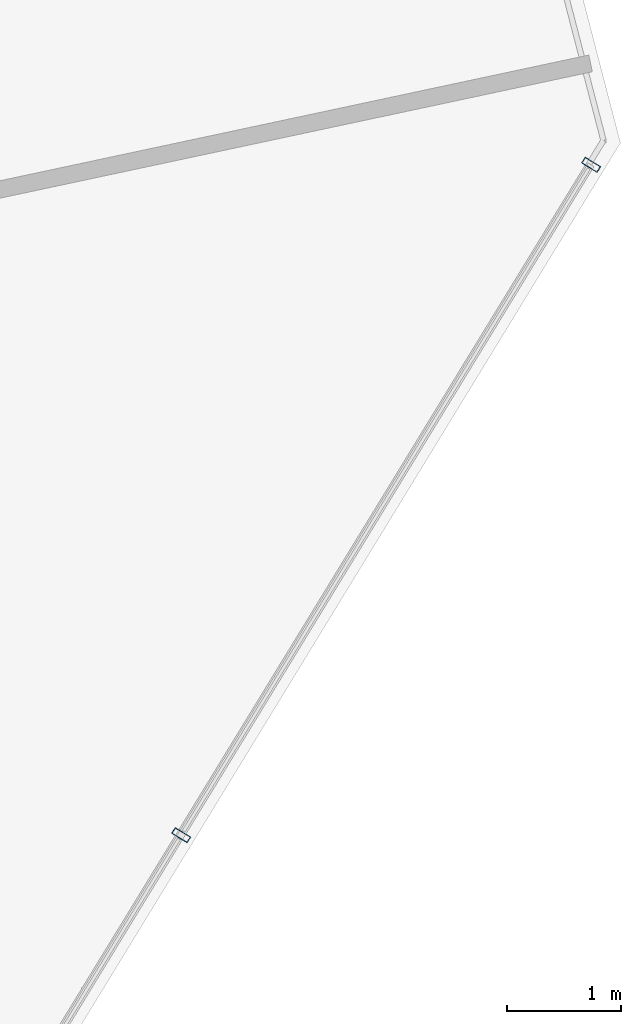
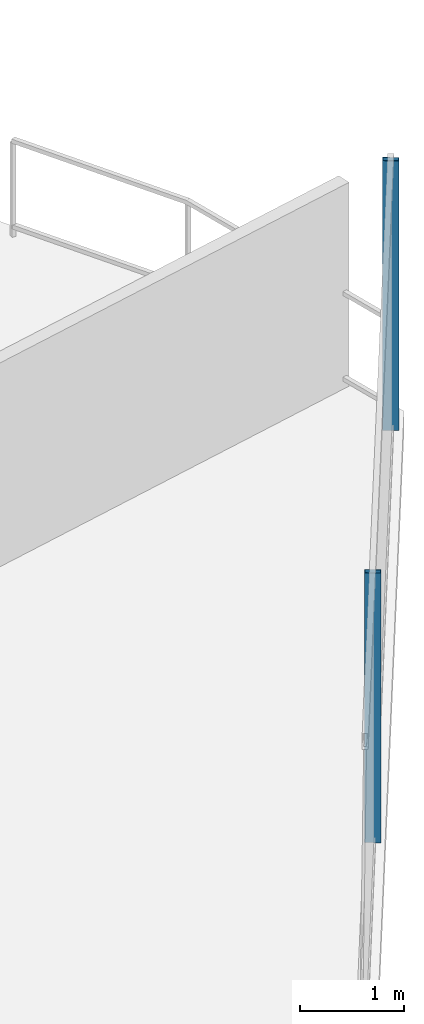
# One storey, part 14 of 30: 2 members, 1 element without a shape of its own.
"""IFC4 building model written with IfcOpenShell, lengths in metres."""

from ifc_helpers import new_model, si_unit, direction, frame, origin, origin_2d, place, context, subcontext, project, spatial, hollow_rectangle, extrude, material, layer, layer_set, material_profile, profile_set, type_object, element, aggregate, save


model = new_model("IFC4")

# Units and contexts
model_context = context("Model", 3, precision=1e-05, world=origin(), true_north=direction((0.0, 1.0)))
body_context = subcontext(model_context, "Body", "Model", "MODEL_VIEW")
ifc_project = project(units=[si_unit("LENGTHUNIT", "METRE"), si_unit("AREAUNIT", "SQUARE_METRE"), si_unit("VOLUMEUNIT", "CUBIC_METRE"), si_unit("PLANEANGLEUNIT", "RADIAN"), si_unit("MASSUNIT", "GRAM", prefix="KILO")], contexts=[model_context])

# Site, building, storey
site_placement = place(None, origin())
site = spatial("IfcSite", under=ifc_project, at=site_placement, CompositionType="ELEMENT")
building_placement = place(site_placement, origin())
building = spatial("IfcBuilding", under=site, at=building_placement, Name="Qarnah Convention Tower", CompositionType="ELEMENT")
storey_placement = place(building_placement, frame((0.0, 0.0, 61.5)))
storey = spatial("IfcBuildingStorey", under=building, at=storey_placement, Name="L15", CompositionType="ELEMENT", Elevation=61.5)

# Curtain wall, members
ifc_material_1 = material(Name="Tempered Low-E dark glass", Category="glass")
ifc_layer = layer(ifc_material_1, 0.16796875)
ifc_layer_set = layer_set([ifc_layer], Name="Tempered Low-E dark glass")
curtain_wall_type = type_object("IfcCurtainWallType", Name="CWS-01", PredefinedType="NOTDEFINED", material=ifc_layer_set)
curtain_wall_placement = place(storey_placement, origin())
curtain_wall = element("IfcCurtainWall", 1, at=curtain_wall_placement, inside=storey, type_object=curtain_wall_type, Name="L15 unitised curtain wall CW-L15-F2", PredefinedType="NOTDEFINED")
ifc_material_2 = material(Name="Black anodised aluminium", Category="aluminium")
ifc_material_profile = material_profile(ifc_material_2, hollow_rectangle(XDim=0.06005859375, YDim=0.159912109375, WallThickness=0.00390625, at=origin_2d()), Name="MUL-60X160")
ifc_profile_set = profile_set([ifc_material_profile], Name="Black anodised aluminium")
member_type = type_object("IfcMemberType", Name="MUL-T1", PredefinedType="MULLION", material=ifc_profile_set)
member_1_placement = place(storey_placement, frame((63.180908203125, 31.041015625, 0.0), z_axis=(0.0, 0.0, 1.0), x_axis=(-0.52160777824, -0.853185399359, 0.0)))
member_1 = element("IfcMember", 2, at=member_1_placement, type_object=member_type, Name="CW-L15-F2 mullion 1", PredefinedType="MULLION", context=body_context, shape_type="SweptSolid", body=[
    extrude(hollow_rectangle(XDim=0.06005859375, YDim=0.159912109375, WallThickness=0.00390625, at=origin_2d()), origin(), (0.0, 0.0, 1.0), 3.169921875),
])
member_2_placement = place(storey_placement, frame((59.5703125, 25.13525390625, 0.0), z_axis=(0.0, 0.0, 1.0), x_axis=(-0.52160777824, -0.853185399359, 0.0)))
member_2 = element("IfcMember", 3, at=member_2_placement, type_object=member_type, Name="CW-L15-F2 mullion 2", PredefinedType="MULLION", context=body_context, shape_type="SweptSolid", body=[
    extrude(hollow_rectangle(XDim=0.06005859375, YDim=0.159912109375, WallThickness=0.00390625, at=origin_2d()), origin(), (0.0, 0.0, 1.0), 3.169921875),
])
aggregate(curtain_wall, [member_1, member_2])

save(model, "model.ifc")
